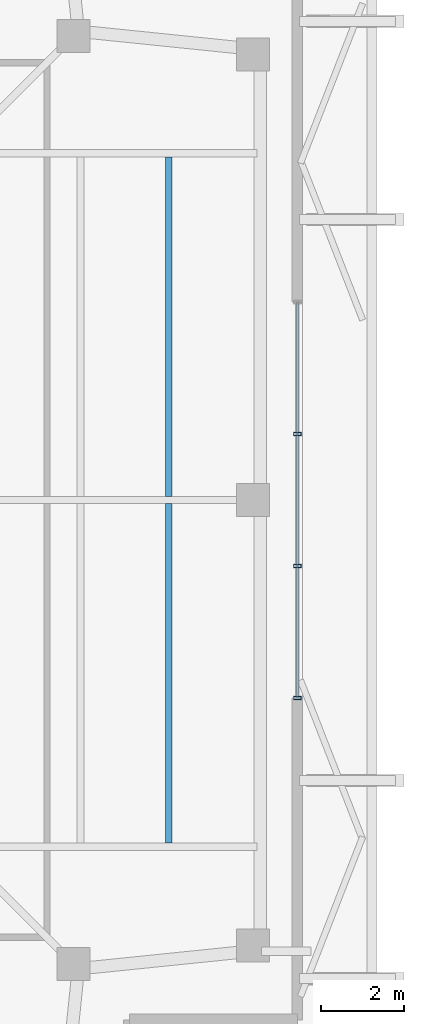
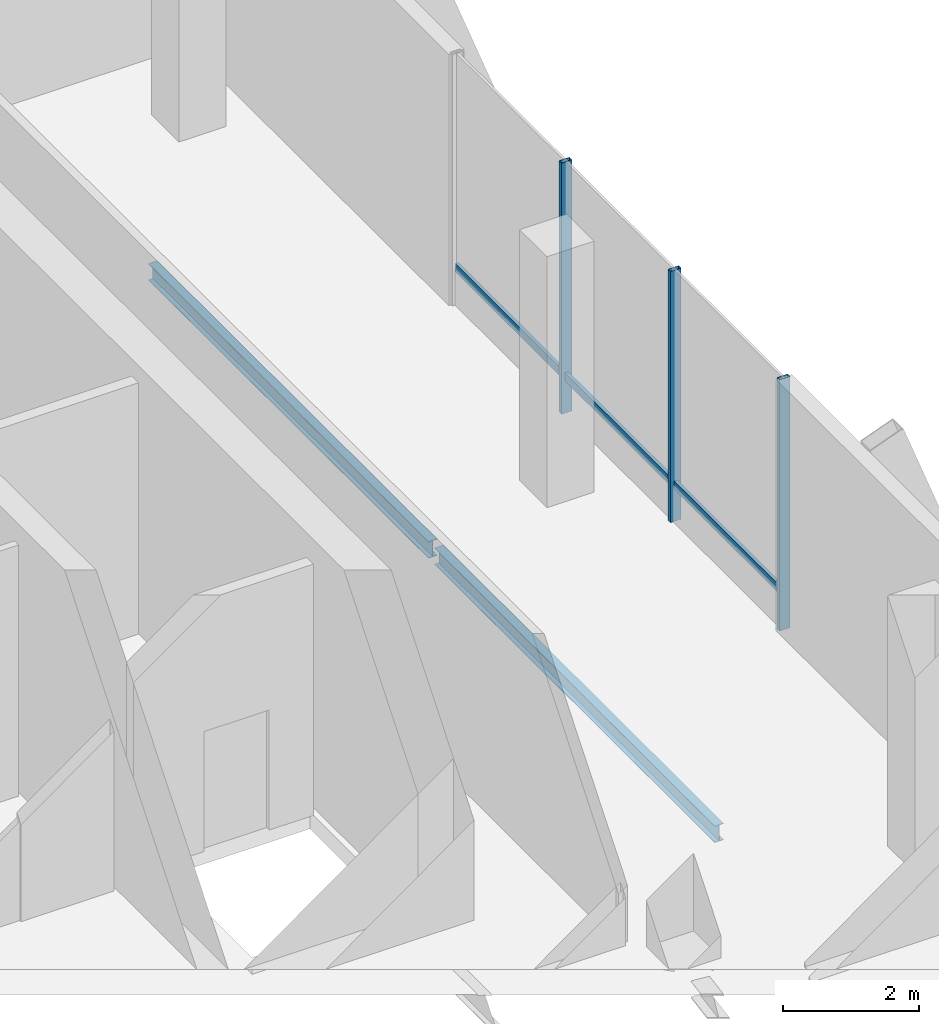
# One storey, part 8 of 15: 6 members, 2 beams, 1 element without a shape of its own.
"""IFC4 building model written with IfcOpenShell, lengths in metres."""

from ifc_helpers import new_model, si_unit, direction, frame, origin, origin_2d, place, context, subcontext, project, spatial, hollow_rectangle, i_section, extrude, material, layer, layer_set, material_profile, profile_set, type_object, element, aggregate, save


model = new_model("IFC4")

# Units and contexts
model_context = context("Model", 3, precision=1e-05, world=origin(), true_north=direction((0.0, 1.0)))
body_context = subcontext(model_context, "Body", "Model", "MODEL_VIEW")
ifc_project = project(units=[si_unit("LENGTHUNIT", "METRE"), si_unit("AREAUNIT", "SQUARE_METRE"), si_unit("VOLUMEUNIT", "CUBIC_METRE"), si_unit("PLANEANGLEUNIT", "RADIAN"), si_unit("MASSUNIT", "GRAM", prefix="KILO")], contexts=[model_context])

# Site, building, storey
site_placement = place(None, origin())
site = spatial("IfcSite", under=ifc_project, at=site_placement, CompositionType="ELEMENT")
building_placement = place(site_placement, origin())
building = spatial("IfcBuilding", under=site, at=building_placement, Name="Belovzor Exchange Tower", CompositionType="ELEMENT")
storey_placement = place(building_placement, frame((0.0, 0.0, 373.800048828125)))
storey = spatial("IfcBuildingStorey", under=building, at=storey_placement, Name="L93", CompositionType="ELEMENT", Elevation=373.800048828125)

# Beams
ifc_material_1 = material(Name="Steel S355", Category="steel")
ifc_material_profile_1 = material_profile(ifc_material_1, i_section(OverallWidth=0.14990234375, OverallDepth=0.300048828125, WebThickness=0.007080078125, FlangeThickness=0.0107421875, at=origin_2d()))
ifc_profile_set_1 = profile_set([ifc_material_profile_1], Name="Steel S355")
beam_type = type_object("IfcBeamType", Name="Secondary Trim Floor Joist IPE 300", PredefinedType="BEAM", material=ifc_profile_set_1)
beam_1_placement = place(storey_placement, frame((42.35205078125, 20.489990234375, -0.449951171875), z_axis=(0.0, 1.0, 0.0), x_axis=(-1.0, 0.0, 0.0)))
element("IfcBeam", 1, at=beam_1_placement, inside=storey, type_object=beam_type, Name="FJ-300 Secondary Trim Floor Joist IPE 300", PredefinedType="BEAM", context=body_context, shape_type="SweptSolid", body=[
    extrude(i_section(OverallWidth=0.14990234375, OverallDepth=0.300048828125, WebThickness=0.007080078125, FlangeThickness=0.0107421875, at=origin_2d()), origin(), (0.0, 0.0, 1.0), 8.219970703125),
])
beam_2_placement = place(storey_placement, frame((42.35205078125, 28.889892578125, -0.449951171875), z_axis=(0.0, 1.0, 0.0), x_axis=(-1.0, 0.0, 0.0)))
element("IfcBeam", 2, at=beam_2_placement, inside=storey, type_object=beam_type, Name="FJ-300 Secondary Trim Floor Joist IPE 300", PredefinedType="BEAM", context=body_context, shape_type="SweptSolid", body=[
    extrude(i_section(OverallWidth=0.14990234375, OverallDepth=0.300048828125, WebThickness=0.007080078125, FlangeThickness=0.0107421875, at=origin_2d()), origin(), (0.0, 0.0, 1.0), 8.22021484375),
])

# Curtain wall, members
ifc_material_2 = material(Name="Anodised Aluminium Framing", Category="aluminium")
ifc_layer = layer(ifc_material_2, 0.169921875)
ifc_layer_set = layer_set([ifc_layer], Name="Anodised Aluminium Framing")
curtain_wall_type = type_object("IfcCurtainWallType", Name="Stepped Crown Faceted Lantern Curtain Wall", PredefinedType="NOTDEFINED", material=ifc_layer_set)
curtain_wall_placement = place(storey_placement, origin())
curtain_wall = element("IfcCurtainWall", 3, at=curtain_wall_placement, inside=storey, type_object=curtain_wall_type, Name="CW6 Stepped Crown Faceted Lantern Curtain Wall L93", PredefinedType="NOTDEFINED")
ifc_material_3 = material(Name="Steel S355", Category="steel")
ifc_material_profile_2 = material_profile(ifc_material_3, hollow_rectangle(XDim=0.074951171875, YDim=0.179931640625, WallThickness=0.0048828125, at=origin_2d()))
ifc_profile_set_2 = profile_set([ifc_material_profile_2], Name="Steel S355")
member_type_1 = type_object("IfcMemberType", Name="Thermally Broken Curtain Wall Mullion 180x75", PredefinedType="MULLION", material=ifc_profile_set_2)
member_1_placement = place(storey_placement, frame((45.469970703125, 30.39990234375, 0.0), z_axis=(0.0, 0.0, 1.0), x_axis=(0.0, -1.0, 0.0)))
member_1 = element("IfcMember", 4, at=member_1_placement, type_object=member_type_1, Name="CW-M180 Curtain Wall Mullion 2", PredefinedType="MULLION", context=body_context, shape_type="SweptSolid", body=[
    extrude(hollow_rectangle(XDim=0.074951171875, YDim=0.179931640625, WallThickness=0.0048828125, at=origin_2d()), origin(), (0.0, 0.0, 1.0), 4.5),
])
member_2_placement = place(storey_placement, frame((45.469970703125, 27.199951171875, 0.0), z_axis=(0.0, 0.0, 1.0), x_axis=(0.0, -1.0, 0.0)))
member_2 = element("IfcMember", 5, at=member_2_placement, type_object=member_type_1, Name="CW-M180 Curtain Wall Mullion 3", PredefinedType="MULLION", context=body_context, shape_type="SweptSolid", body=[
    extrude(hollow_rectangle(XDim=0.074951171875, YDim=0.179931640625, WallThickness=0.0048828125, at=origin_2d()), origin(), (0.0, 0.0, 1.0), 4.5),
])
member_3_placement = place(storey_placement, frame((45.469970703125, 24.0, 0.0), z_axis=(0.0, 0.0, 1.0), x_axis=(0.0, -1.0, 0.0)))
member_3 = element("IfcMember", 6, at=member_3_placement, type_object=member_type_1, Name="CW-M180 Curtain Wall Mullion 4", PredefinedType="MULLION", context=body_context, shape_type="SweptSolid", body=[
    extrude(hollow_rectangle(XDim=0.074951171875, YDim=0.179931640625, WallThickness=0.0048828125, at=origin_2d()), origin(), (0.0, 0.0, 1.0), 4.5),
])
ifc_material_4 = material(Name="Steel S355", Category="steel")
ifc_material_profile_3 = material_profile(ifc_material_4, hollow_rectangle(XDim=0.06005859375, YDim=0.14990234375, WallThickness=0.00390625, at=origin_2d()))
ifc_profile_set_3 = profile_set([ifc_material_profile_3], Name="Steel S355")
member_type_2 = type_object("IfcMemberType", Name="Thermally Broken Curtain Wall Transom 150x60", PredefinedType="USERDEFINED", material=ifc_profile_set_3)
member_4_placement = place(storey_placement, frame((45.469970703125, 33.592041015625, 0.64990234375), z_axis=(0.0, -1.0, 0.0), x_axis=(1.0, 0.0, 0.0)))
member_4 = element("IfcMember", 7, at=member_4_placement, type_object=member_type_2, Name="CW-T150 Curtain Wall Transom 1", ObjectType="TRANSOM", PredefinedType="USERDEFINED", context=body_context, shape_type="SweptSolid", body=[
    extrude(hollow_rectangle(XDim=0.06005859375, YDim=0.14990234375, WallThickness=0.00390625, at=origin_2d()), origin(), (0.0, 0.0, 1.0), 3.18408203125),
])
member_5_placement = place(storey_placement, frame((45.469970703125, 30.39208984375, 0.64990234375), z_axis=(0.0, -1.0, 0.0), x_axis=(1.0, 0.0, 0.0)))
member_5 = element("IfcMember", 8, at=member_5_placement, type_object=member_type_2, Name="CW-T150 Curtain Wall Transom 2", ObjectType="TRANSOM", PredefinedType="USERDEFINED", context=body_context, shape_type="SweptSolid", body=[
    extrude(hollow_rectangle(XDim=0.06005859375, YDim=0.14990234375, WallThickness=0.00390625, at=origin_2d()), origin(), (0.0, 0.0, 1.0), 3.18408203125),
])
member_6_placement = place(storey_placement, frame((45.469970703125, 27.19189453125, 0.64990234375), z_axis=(0.0, -1.0, 0.0), x_axis=(1.0, 0.0, 0.0)))
member_6 = element("IfcMember", 9, at=member_6_placement, type_object=member_type_2, Name="CW-T150 Curtain Wall Transom 3", ObjectType="TRANSOM", PredefinedType="USERDEFINED", context=body_context, shape_type="SweptSolid", body=[
    extrude(hollow_rectangle(XDim=0.06005859375, YDim=0.14990234375, WallThickness=0.00390625, at=origin_2d()), origin(), (0.0, 0.0, 1.0), 3.183837890625),
])
aggregate(curtain_wall, [member_1, member_2, member_3, member_4, member_5, member_6])

save(model, "model.ifc")
